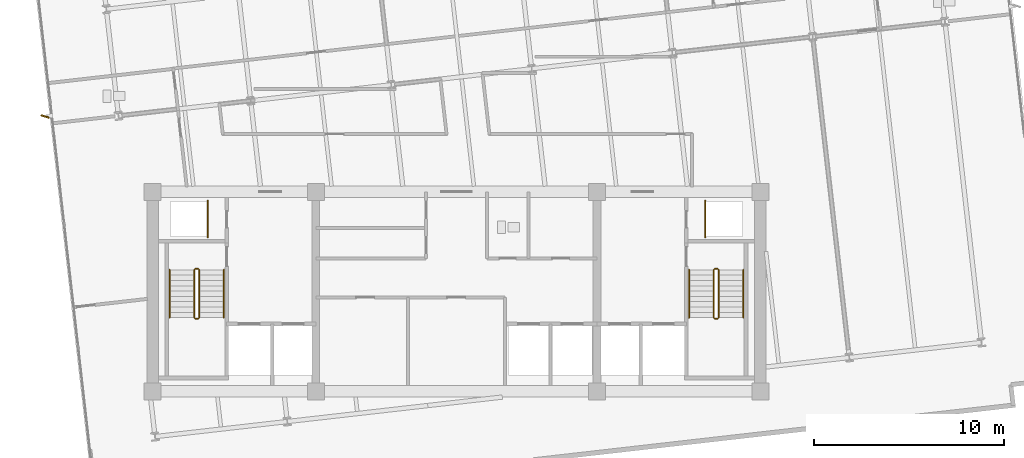
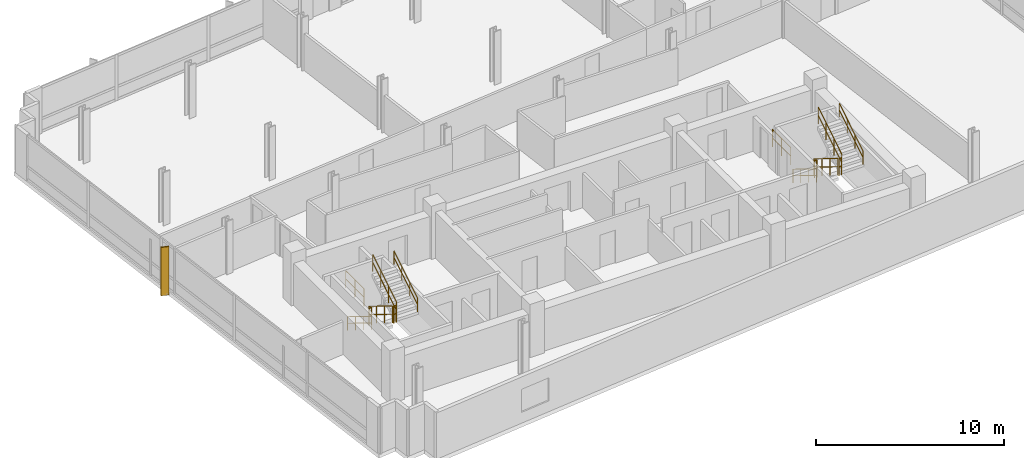
# One storey, part 12 of 14: 14 railings, 1 shading device.
"""IFC4 building model written with IfcOpenShell, lengths in metres."""

from ifc_helpers import new_model, si_unit, direction, frame, origin, origin_2d, place, context, subcontext, project, spatial, rectangle, circle, extrude, material, layer, layer_set, type_object, element, save


model = new_model("IFC4")

# Units and contexts
model_context = context("Model", 3, precision=1e-05, world=origin(), true_north=direction((0.0, 1.0)))
body_context = subcontext(model_context, "Body", "Model", "MODEL_VIEW")
ifc_project = project(units=[si_unit("LENGTHUNIT", "METRE"), si_unit("AREAUNIT", "SQUARE_METRE"), si_unit("VOLUMEUNIT", "CUBIC_METRE"), si_unit("PLANEANGLEUNIT", "RADIAN"), si_unit("MASSUNIT", "GRAM", prefix="KILO")], contexts=[model_context])

# Site, building, storey
site_placement = place(None, origin())
site = spatial("IfcSite", under=ifc_project, at=site_placement, CompositionType="ELEMENT")
building_placement = place(site_placement, origin())
building = spatial("IfcBuilding", under=site, at=building_placement, Name="Solmavex Isthmus Hotel", CompositionType="ELEMENT")
storey_placement = place(building_placement, frame((0.0, 0.0, 236.550048828125)))
storey = spatial("IfcBuildingStorey", under=building, at=storey_placement, Name="L64", CompositionType="ELEMENT", Elevation=236.550048828125)

# Railings
ifc_material_1 = material(Name="Clear low-E laminated glass", Category="glass")
ifc_layer_1 = layer(ifc_material_1, 0.080078125)
ifc_layer_set_1 = layer_set([ifc_layer_1], Name="Clear low-E laminated glass")
railing_type_1 = type_object("IfcRailingType", Name="RAIL-ATRIUM-1120", PredefinedType="BALUSTRADE", material=ifc_layer_set_1)
for number, where, name in (
    (1, (-13.10009765625, -4.89990234375, 0.0), "Guardrail Balustrade L64-RSW-01"),
    (2, (13.10009765625, -4.89990234375, 0.0), "Guardrail Balustrade L64-RSE-01"),
):
    element("IfcRailing", number, at=place(storey_placement, frame(where)), inside=storey, type_object=railing_type_1, Name=name, PredefinedType="BALUSTRADE", context=body_context, shape_type="SweptSolid", body=[
        extrude(circle(Radius=0.02392578125, at=origin_2d()), frame((0.0, 0.0, 1.1259765625), z_axis=(0.0, 1.0, 0.0), x_axis=(-1.0, 0.0, 0.0)), (0.0, 0.0, 1.0), 1.949951171875),
        extrude(circle(Radius=0.02392578125, at=origin_2d()), frame((0.0, 0.0, 0.574951171875), z_axis=(0.0, 1.0, 0.0), x_axis=(-1.0, 0.0, 0.0)), (0.0, 0.0, 1.0), 1.949951171875),
        extrude(circle(Radius=0.02099609375, at=origin_2d()), origin(), (0.0, 0.0, 1.0), 1.101806640625),
        extrude(circle(Radius=0.02099609375, at=origin_2d()), frame((0.0, 0.97509765625, 0.0)), (0.0, 0.0, 1.0), 1.101806640625),
        extrude(circle(Radius=0.02099609375, at=origin_2d()), frame((0.0, 1.949951171875, 0.0)), (0.0, 0.0, 1.0), 1.101806640625),
    ])
ifc_material_2 = material(Name="Stainless steel 316", Category="steel")
ifc_layer_2 = layer(ifc_material_2, 0.06005859375)
ifc_layer_set_2 = layer_set([ifc_layer_2], Name="Stainless steel 316")
railing_type_2 = type_object("IfcRailingType", Name="RAIL-STAIR-GD", PredefinedType="GUARDRAIL", material=ifc_layer_set_2)
railing_1_placement = place(storey_placement, frame((-13.800048828125, -6.60009765625, 0.17236328125)))
element("IfcRailing", 3, at=railing_1_placement, inside=storey, type_object=railing_type_2, Name="L64 ST-1 stair guard 1", PredefinedType="GUARDRAIL", context=body_context, shape_type="SweptSolid", body=[
    extrude(circle(Radius=0.02392578125, at=origin_2d()), frame((0.0, 0.0, 1.09619140625), z_axis=(0.0, -0.851400495292, 0.524516154772), x_axis=(1.0, 0.0, 0.0)), (0.0, 0.0, 1.0), 2.9599609375),
    extrude(circle(Radius=0.02392578125, at=origin_2d()), frame((0.0, 0.0, 0.56005859375), z_axis=(0.0, -0.851400495292, 0.524516154772), x_axis=(1.0, 0.0, 0.0)), (0.0, 0.0, 1.0), 2.9599609375),
    extrude(circle(Radius=0.02099609375, at=origin_2d()), origin(), (0.0, 0.0, 1.0), 1.072021484375),
    extrude(circle(Radius=0.02099609375, at=origin_2d()), frame((0.0, -0.840087890625, 0.517578125)), (0.0, 0.0, 1.0), 1.072021484375),
    extrude(circle(Radius=0.02099609375, at=origin_2d()), frame((0.0, -1.679931640625, 1.034912109375)), (0.0, 0.0, 1.0), 1.072021484375),
    extrude(circle(Radius=0.02099609375, at=origin_2d()), frame((0.0, -2.52001953125, 1.552490234375)), (0.0, 0.0, 1.0), 1.072021484375),
])
railing_2_placement = place(storey_placement, frame((-13.75, -9.169921875, 1.724853515625)))
element("IfcRailing", 4, at=railing_2_placement, inside=storey, type_object=railing_type_2, Name="L64 ST-1 stair guard 2", PredefinedType="GUARDRAIL", context=body_context, shape_type="SweptSolid", body=[
    extrude(circle(Radius=0.02392578125, at=origin_2d()), frame((0.0, 0.0, 1.09619140625), z_axis=(1.0, 0.0, 0.0), x_axis=(0.0, 1.0, 0.0)), (0.0, 0.0, 1.0), 0.14990234375),
    extrude(circle(Radius=0.02392578125, at=origin_2d()), frame((0.0, 0.0, 0.56005859375), z_axis=(1.0, 0.0, 0.0), x_axis=(0.0, 1.0, 0.0)), (0.0, 0.0, 1.0), 0.14990234375),
    extrude(circle(Radius=0.02099609375, at=origin_2d()), origin(), (0.0, 0.0, 1.0), 1.072021484375),
    extrude(circle(Radius=0.02099609375, at=origin_2d()), frame((0.14990234375, 0.0, 0.0)), (0.0, 0.0, 1.0), 1.072021484375),
])
railing_3_placement = place(storey_placement, frame((-13.550048828125, -9.1201171875, 1.8974609375)))
element("IfcRailing", 5, at=railing_3_placement, inside=storey, type_object=railing_type_2, Name="L64 ST-1 stair guard 3", PredefinedType="GUARDRAIL", context=body_context, shape_type="SweptSolid", body=[
    extrude(circle(Radius=0.02392578125, at=origin_2d()), frame((0.0, 0.0, 1.09619140625), z_axis=(0.0, 0.851400495292, 0.524516154772), x_axis=(-1.0, 0.0, 0.0)), (0.0, 0.0, 1.0), 2.9599609375),
    extrude(circle(Radius=0.02392578125, at=origin_2d()), frame((0.0, 0.0, 0.56005859375), z_axis=(0.0, 0.851400495292, 0.524516154772), x_axis=(-1.0, 0.0, 0.0)), (0.0, 0.0, 1.0), 2.9599609375),
    extrude(circle(Radius=0.02099609375, at=origin_2d()), origin(), (0.0, 0.0, 1.0), 1.072021484375),
    extrude(circle(Radius=0.02099609375, at=origin_2d()), frame((0.0, 0.840087890625, 0.517578125)), (0.0, 0.0, 1.0), 1.072021484375),
    extrude(circle(Radius=0.02099609375, at=origin_2d()), frame((0.0, 1.679931640625, 1.034912109375)), (0.0, 0.0, 1.0), 1.072021484375),
    extrude(circle(Radius=0.02099609375, at=origin_2d()), frame((0.0, 2.52001953125, 1.552490234375)), (0.0, 0.0, 1.0), 1.072021484375),
])
railing_4_placement = place(storey_placement, frame((-13.75, -6.550048828125, 0.0)))
element("IfcRailing", 6, at=railing_4_placement, inside=storey, type_object=railing_type_2, Name="L64 ST-1 stair guard 4", PredefinedType="GUARDRAIL", context=body_context, shape_type="SweptSolid", body=[
    extrude(circle(Radius=0.02392578125, at=origin_2d()), frame((0.0, 0.0, 1.09619140625), z_axis=(1.0, 0.0, 0.0), x_axis=(0.0, 1.0, 0.0)), (0.0, 0.0, 1.0), 0.14990234375),
    extrude(circle(Radius=0.02392578125, at=origin_2d()), frame((0.0, 0.0, 0.56005859375), z_axis=(1.0, 0.0, 0.0), x_axis=(0.0, 1.0, 0.0)), (0.0, 0.0, 1.0), 0.14990234375),
    extrude(circle(Radius=0.02099609375, at=origin_2d()), origin(), (0.0, 0.0, 1.0), 1.072021484375),
    extrude(circle(Radius=0.02099609375, at=origin_2d()), frame((0.14990234375, 0.0, 0.0)), (0.0, 0.0, 1.0), 1.072021484375),
])
railing_5_placement = place(storey_placement, frame((13.550048828125, -6.60009765625, 0.17236328125)))
element("IfcRailing", 7, at=railing_5_placement, inside=storey, type_object=railing_type_2, Name="L64 ST-2 stair guard 1", PredefinedType="GUARDRAIL", context=body_context, shape_type="SweptSolid", body=[
    extrude(circle(Radius=0.02392578125, at=origin_2d()), frame((0.0, 0.0, 1.09619140625), z_axis=(0.0, -0.851400495292, 0.524516154772), x_axis=(1.0, 0.0, 0.0)), (0.0, 0.0, 1.0), 2.9599609375),
    extrude(circle(Radius=0.02392578125, at=origin_2d()), frame((0.0, 0.0, 0.56005859375), z_axis=(0.0, -0.851400495292, 0.524516154772), x_axis=(1.0, 0.0, 0.0)), (0.0, 0.0, 1.0), 2.9599609375),
    extrude(circle(Radius=0.02099609375, at=origin_2d()), origin(), (0.0, 0.0, 1.0), 1.072021484375),
    extrude(circle(Radius=0.02099609375, at=origin_2d()), frame((0.0, -0.840087890625, 0.517578125)), (0.0, 0.0, 1.0), 1.072021484375),
    extrude(circle(Radius=0.02099609375, at=origin_2d()), frame((0.0, -1.679931640625, 1.034912109375)), (0.0, 0.0, 1.0), 1.072021484375),
    extrude(circle(Radius=0.02099609375, at=origin_2d()), frame((0.0, -2.52001953125, 1.552490234375)), (0.0, 0.0, 1.0), 1.072021484375),
])
railing_6_placement = place(storey_placement, frame((13.60009765625, -9.169921875, 1.724853515625)))
element("IfcRailing", 8, at=railing_6_placement, inside=storey, type_object=railing_type_2, Name="L64 ST-2 stair guard 2", PredefinedType="GUARDRAIL", context=body_context, shape_type="SweptSolid", body=[
    extrude(circle(Radius=0.02392578125, at=origin_2d()), frame((0.0, 0.0, 1.09619140625), z_axis=(1.0, 0.0, 0.0), x_axis=(0.0, 1.0, 0.0)), (0.0, 0.0, 1.0), 0.14990234375),
    extrude(circle(Radius=0.02392578125, at=origin_2d()), frame((0.0, 0.0, 0.56005859375), z_axis=(1.0, 0.0, 0.0), x_axis=(0.0, 1.0, 0.0)), (0.0, 0.0, 1.0), 0.14990234375),
    extrude(circle(Radius=0.02099609375, at=origin_2d()), origin(), (0.0, 0.0, 1.0), 1.072021484375),
    extrude(circle(Radius=0.02099609375, at=origin_2d()), frame((0.14990234375, 0.0, 0.0)), (0.0, 0.0, 1.0), 1.072021484375),
])
railing_7_placement = place(storey_placement, frame((13.800048828125, -9.1201171875, 1.8974609375)))
element("IfcRailing", 9, at=railing_7_placement, inside=storey, type_object=railing_type_2, Name="L64 ST-2 stair guard 3", PredefinedType="GUARDRAIL", context=body_context, shape_type="SweptSolid", body=[
    extrude(circle(Radius=0.02392578125, at=origin_2d()), frame((0.0, 0.0, 1.09619140625), z_axis=(0.0, 0.851400495292, 0.524516154772), x_axis=(-1.0, 0.0, 0.0)), (0.0, 0.0, 1.0), 2.9599609375),
    extrude(circle(Radius=0.02392578125, at=origin_2d()), frame((0.0, 0.0, 0.56005859375), z_axis=(0.0, 0.851400495292, 0.524516154772), x_axis=(-1.0, 0.0, 0.0)), (0.0, 0.0, 1.0), 2.9599609375),
    extrude(circle(Radius=0.02099609375, at=origin_2d()), origin(), (0.0, 0.0, 1.0), 1.072021484375),
    extrude(circle(Radius=0.02099609375, at=origin_2d()), frame((0.0, 0.840087890625, 0.517578125)), (0.0, 0.0, 1.0), 1.072021484375),
    extrude(circle(Radius=0.02099609375, at=origin_2d()), frame((0.0, 1.679931640625, 1.034912109375)), (0.0, 0.0, 1.0), 1.072021484375),
    extrude(circle(Radius=0.02099609375, at=origin_2d()), frame((0.0, 2.52001953125, 1.552490234375)), (0.0, 0.0, 1.0), 1.072021484375),
])
railing_8_placement = place(storey_placement, frame((13.60009765625, -6.550048828125, 0.0)))
element("IfcRailing", 10, at=railing_8_placement, inside=storey, type_object=railing_type_2, Name="L64 ST-2 stair guard 4", PredefinedType="GUARDRAIL", context=body_context, shape_type="SweptSolid", body=[
    extrude(circle(Radius=0.02392578125, at=origin_2d()), frame((0.0, 0.0, 1.09619140625), z_axis=(1.0, 0.0, 0.0), x_axis=(0.0, 1.0, 0.0)), (0.0, 0.0, 1.0), 0.14990234375),
    extrude(circle(Radius=0.02392578125, at=origin_2d()), frame((0.0, 0.0, 0.56005859375), z_axis=(1.0, 0.0, 0.0), x_axis=(0.0, 1.0, 0.0)), (0.0, 0.0, 1.0), 0.14990234375),
    extrude(circle(Radius=0.02099609375, at=origin_2d()), origin(), (0.0, 0.0, 1.0), 1.072021484375),
    extrude(circle(Radius=0.02099609375, at=origin_2d()), frame((0.14990234375, 0.0, 0.0)), (0.0, 0.0, 1.0), 1.072021484375),
])
ifc_layer_3 = layer(ifc_material_2, 0.050048828125)
ifc_layer_set_3 = layer_set([ifc_layer_3], Name="Stainless steel 316")
railing_type_3 = type_object("IfcRailingType", Name="RAIL-STAIR-HR", PredefinedType="HANDRAIL", material=ifc_layer_set_3)
railing_9_placement = place(storey_placement, frame((-15.10009765625, -6.60009765625, 0.17236328125)))
element("IfcRailing", 11, at=railing_9_placement, inside=storey, type_object=railing_type_3, Name="L64 ST-1 stair handrail 1", PredefinedType="HANDRAIL", context=body_context, shape_type="SweptSolid", body=[
    extrude(circle(Radius=0.02392578125, at=origin_2d()), frame((0.0, 0.0, 0.8759765625), z_axis=(0.0, -0.851400495292, 0.524516154772), x_axis=(1.0, 0.0, 0.0)), (0.0, 0.0, 1.0), 2.9599609375),
    extrude(circle(Radius=0.02392578125, at=origin_2d()), frame((0.0, 0.0, 0.449951171875), z_axis=(0.0, -0.851400495292, 0.524516154772), x_axis=(1.0, 0.0, 0.0)), (0.0, 0.0, 1.0), 2.9599609375),
    extrude(circle(Radius=0.02099609375, at=origin_2d()), origin(), (0.0, 0.0, 1.0), 0.851806640625),
    extrude(circle(Radius=0.02099609375, at=origin_2d()), frame((0.0, -0.840087890625, 0.517578125)), (0.0, 0.0, 1.0), 0.851806640625),
    extrude(circle(Radius=0.02099609375, at=origin_2d()), frame((0.0, -1.679931640625, 1.034912109375)), (0.0, 0.0, 1.0), 0.851806640625),
    extrude(circle(Radius=0.02099609375, at=origin_2d()), frame((0.0, -2.52001953125, 1.552490234375)), (0.0, 0.0, 1.0), 0.851806640625),
])
railing_10_placement = place(storey_placement, frame((-12.25, -9.1201171875, 1.8974609375)))
element("IfcRailing", 12, at=railing_10_placement, inside=storey, type_object=railing_type_3, Name="L64 ST-1 stair handrail 2", PredefinedType="HANDRAIL", context=body_context, shape_type="SweptSolid", body=[
    extrude(circle(Radius=0.02392578125, at=origin_2d()), frame((0.0, 0.0, 0.8759765625), z_axis=(0.0, 0.851400495292, 0.524516154772), x_axis=(-1.0, 0.0, 0.0)), (0.0, 0.0, 1.0), 2.9599609375),
    extrude(circle(Radius=0.02392578125, at=origin_2d()), frame((0.0, 0.0, 0.449951171875), z_axis=(0.0, 0.851400495292, 0.524516154772), x_axis=(-1.0, 0.0, 0.0)), (0.0, 0.0, 1.0), 2.9599609375),
    extrude(circle(Radius=0.02099609375, at=origin_2d()), origin(), (0.0, 0.0, 1.0), 0.851806640625),
    extrude(circle(Radius=0.02099609375, at=origin_2d()), frame((0.0, 0.840087890625, 0.517578125)), (0.0, 0.0, 1.0), 0.851806640625),
    extrude(circle(Radius=0.02099609375, at=origin_2d()), frame((0.0, 1.679931640625, 1.034912109375)), (0.0, 0.0, 1.0), 0.851806640625),
    extrude(circle(Radius=0.02099609375, at=origin_2d()), frame((0.0, 2.52001953125, 1.552490234375)), (0.0, 0.0, 1.0), 0.851806640625),
])
railing_11_placement = place(storey_placement, frame((12.25, -6.60009765625, 0.17236328125)))
element("IfcRailing", 13, at=railing_11_placement, inside=storey, type_object=railing_type_3, Name="L64 ST-2 stair handrail 1", PredefinedType="HANDRAIL", context=body_context, shape_type="SweptSolid", body=[
    extrude(circle(Radius=0.02392578125, at=origin_2d()), frame((0.0, 0.0, 0.8759765625), z_axis=(0.0, -0.851400495292, 0.524516154772), x_axis=(1.0, 0.0, 0.0)), (0.0, 0.0, 1.0), 2.9599609375),
    extrude(circle(Radius=0.02392578125, at=origin_2d()), frame((0.0, 0.0, 0.449951171875), z_axis=(0.0, -0.851400495292, 0.524516154772), x_axis=(1.0, 0.0, 0.0)), (0.0, 0.0, 1.0), 2.9599609375),
    extrude(circle(Radius=0.02099609375, at=origin_2d()), origin(), (0.0, 0.0, 1.0), 0.851806640625),
    extrude(circle(Radius=0.02099609375, at=origin_2d()), frame((0.0, -0.840087890625, 0.517578125)), (0.0, 0.0, 1.0), 0.851806640625),
    extrude(circle(Radius=0.02099609375, at=origin_2d()), frame((0.0, -1.679931640625, 1.034912109375)), (0.0, 0.0, 1.0), 0.851806640625),
    extrude(circle(Radius=0.02099609375, at=origin_2d()), frame((0.0, -2.52001953125, 1.552490234375)), (0.0, 0.0, 1.0), 0.851806640625),
])
railing_12_placement = place(storey_placement, frame((15.10009765625, -9.1201171875, 1.8974609375)))
element("IfcRailing", 14, at=railing_12_placement, inside=storey, type_object=railing_type_3, Name="L64 ST-2 stair handrail 2", PredefinedType="HANDRAIL", context=body_context, shape_type="SweptSolid", body=[
    extrude(circle(Radius=0.02392578125, at=origin_2d()), frame((0.0, 0.0, 0.8759765625), z_axis=(0.0, 0.851400495292, 0.524516154772), x_axis=(-1.0, 0.0, 0.0)), (0.0, 0.0, 1.0), 2.9599609375),
    extrude(circle(Radius=0.02392578125, at=origin_2d()), frame((0.0, 0.0, 0.449951171875), z_axis=(0.0, 0.851400495292, 0.524516154772), x_axis=(-1.0, 0.0, 0.0)), (0.0, 0.0, 1.0), 2.9599609375),
    extrude(circle(Radius=0.02099609375, at=origin_2d()), origin(), (0.0, 0.0, 1.0), 0.851806640625),
    extrude(circle(Radius=0.02099609375, at=origin_2d()), frame((0.0, 0.840087890625, 0.517578125)), (0.0, 0.0, 1.0), 0.851806640625),
    extrude(circle(Radius=0.02099609375, at=origin_2d()), frame((0.0, 1.679931640625, 1.034912109375)), (0.0, 0.0, 1.0), 0.851806640625),
    extrude(circle(Radius=0.02099609375, at=origin_2d()), frame((0.0, 2.52001953125, 1.552490234375)), (0.0, 0.0, 1.0), 0.851806640625),
])

# Shading device
ifc_material_3 = material(Name="Aluminium alloy 6063-T6", Category="aluminium")
shading_device_type = type_object("IfcShadingDeviceType", Name="SHD-FIN-BRONZE", PredefinedType="USERDEFINED", material=ifc_material_3)
shading_device_placement = place(storey_placement, frame((-21.657470703125, 1.469970703125, -0.14013671875), z_axis=(0.0, 0.0, 1.0), x_axis=(-0.953716950748, 0.300705799504, 0.0)))
element("IfcShadingDevice", 15, at=shading_device_placement, inside=storey, type_object=shading_device_type, Name="Anodised Aluminium Solar Fin L64-W1", ObjectType="SOLAR_FIN", PredefinedType="USERDEFINED", context=body_context, shape_type="SweptSolid", body=[
    extrude(rectangle(XDim=0.449951171875, YDim=0.080078125, at=origin_2d()), origin(), (0.0, 0.0, 1.0), 3.139892578125),
])

save(model, "model.ifc")
